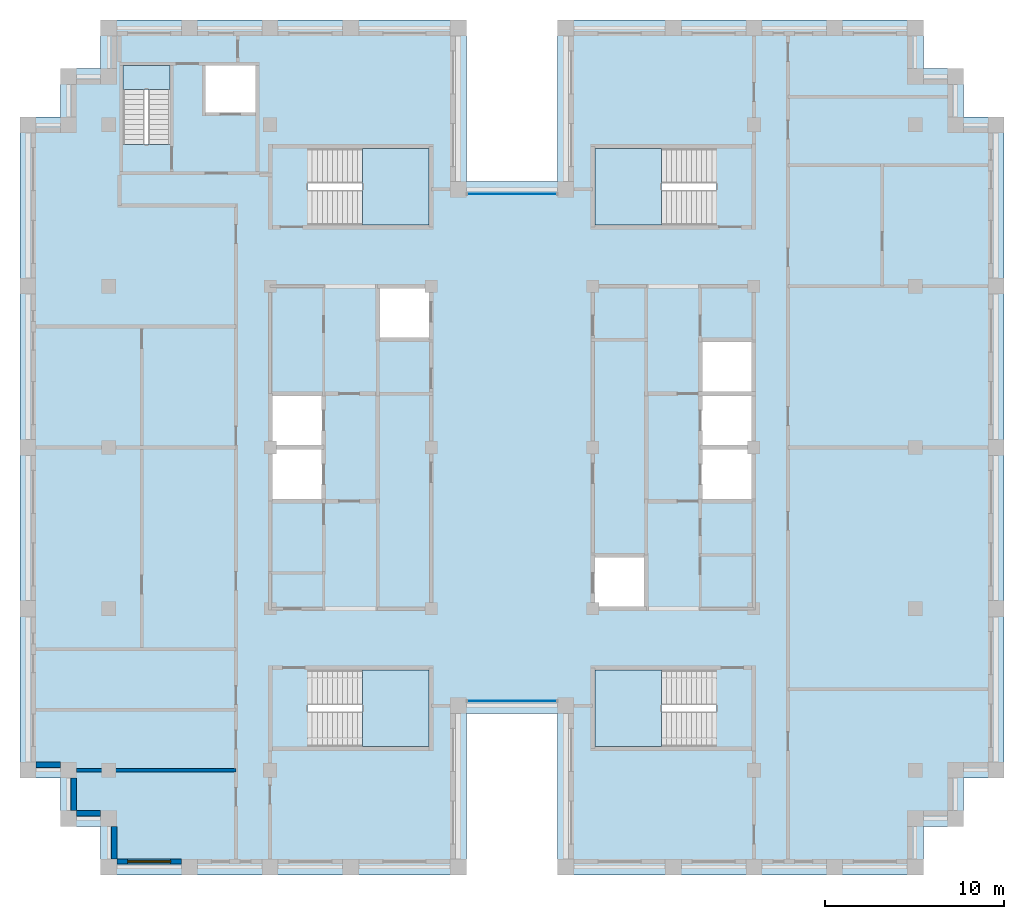
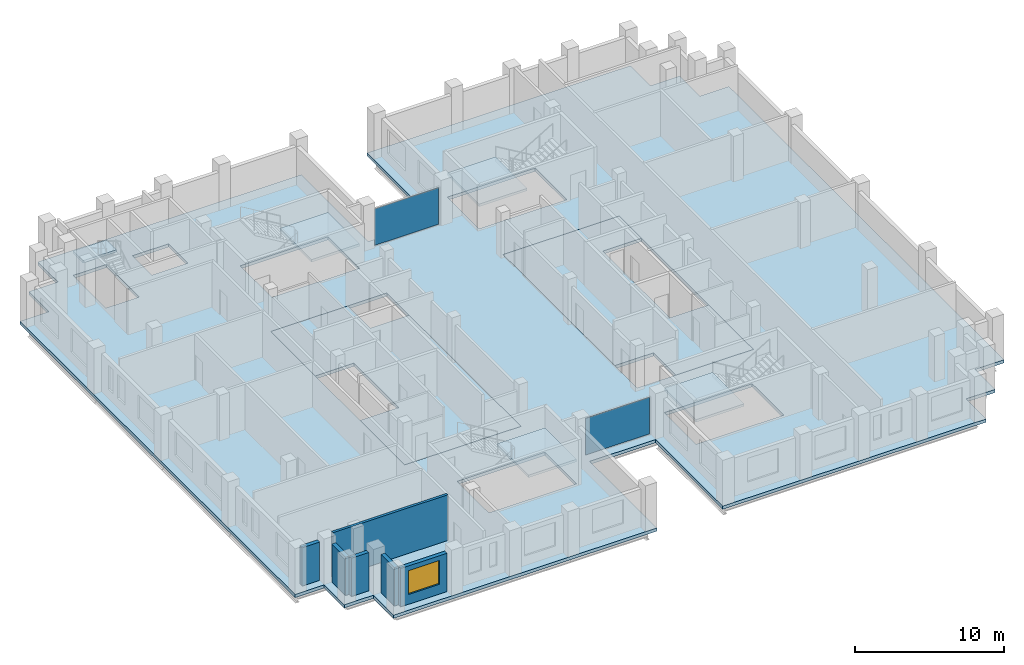
# One storey, part 5 of 13: 8 slabs, 6 walls, 2 plates, 1 window, 1 opening, 7 elements without a shape of their own.
"""IFC4 building model written with IfcOpenShell, lengths in metres."""

from ifc_helpers import new_model, si_unit, direction, frame, frame_2d, origin, origin_2d, place, context, subcontext, project, spatial, polyline, rectangle, outline, extrude, material, layer, layer_set, type_object, element, fill, aggregate, save


model = new_model("IFC4")

# Units and contexts
model_context = context("Model", 3, precision=1e-05, world=origin(), true_north=direction((0.0, 1.0)))
body_context = subcontext(model_context, "Body", "Model", "MODEL_VIEW")
ifc_project = project(units=[si_unit("LENGTHUNIT", "METRE"), si_unit("AREAUNIT", "SQUARE_METRE"), si_unit("VOLUMEUNIT", "CUBIC_METRE"), si_unit("PLANEANGLEUNIT", "RADIAN"), si_unit("MASSUNIT", "GRAM", prefix="KILO")], contexts=[model_context])

# Site, building, storey
site_placement = place(None, origin())
site = spatial("IfcSite", under=ifc_project, at=site_placement, CompositionType="ELEMENT")
building_placement = place(site_placement, origin())
building = spatial("IfcBuilding", under=site, at=building_placement, Name="Corbelhall Arena Tower", CompositionType="ELEMENT")
storey_placement = place(building_placement, frame((0.0, 0.0, 304.0)))
storey = spatial("IfcBuildingStorey", under=building, at=storey_placement, Name="L66", CompositionType="ELEMENT", Elevation=304.0)

# Curtain wall, plate
ifc_material_1 = material(Name="Aluminium black anodised", Category="aluminium")
ifc_layer_1 = layer(ifc_material_1, 0.199951171875)
ifc_layer_set_1 = layer_set([ifc_layer_1], Name="EV-CW1 Slot back wall")
curtain_wall_type = type_object("IfcCurtainWallType", Name="EV-CW1 Slot back wall", PredefinedType="NOTDEFINED", material=ifc_layer_set_1)
curtain_wall_1_placement = place(storey_placement, origin())
curtain_wall_1 = element("IfcCurtainWall", 1, at=curtain_wall_1_placement, inside=storey, type_object=curtain_wall_type, Name="Curtain wall CW1", PredefinedType="NOTDEFINED")
ifc_material_2 = material(Name="Glass dark tinted laminated", Category="glass")
ifc_layer_2 = layer(ifc_material_2, 0.028076171875)
ifc_layer_set_2 = layer_set([ifc_layer_2], Name="EV-CW1-PANEL")
plate_type = type_object("IfcPlateType", Name="EV-CW1-PANEL", PredefinedType="CURTAIN_PANEL", material=ifc_layer_set_2)
plate_1_placement = place(storey_placement, frame((0.0, -14.14990234375, 0.0751953125), z_axis=(0.0, 0.0, 1.0), x_axis=(1.0, 0.0, 0.0)))
plate_1 = element("IfcPlate", 2, at=plate_1_placement, type_object=plate_type, Name="CW1 panel 1.1", PredefinedType="CURTAIN_PANEL", context=body_context, shape_type="SweptSolid", body=[
    extrude(rectangle(XDim=4.949951171875, YDim=0.028076171875, at=origin_2d()), origin(), (0.0, 0.0, 1.0), 2.989990234375),
])
aggregate(curtain_wall_1, [plate_1])

curtain_wall_2_placement = place(storey_placement, origin())
curtain_wall_2 = element("IfcCurtainWall", 3, at=curtain_wall_2_placement, inside=storey, type_object=curtain_wall_type, Name="Curtain wall CW1", PredefinedType="NOTDEFINED")
plate_2_placement = place(storey_placement, frame((0.0, 14.14990234375, 0.0751953125), z_axis=(0.0, 0.0, 1.0), x_axis=(-1.0, 0.0, 0.0)))
plate_2 = element("IfcPlate", 4, at=plate_2_placement, type_object=plate_type, Name="CW1 panel 1.1", PredefinedType="CURTAIN_PANEL", context=body_context, shape_type="SweptSolid", body=[
    extrude(rectangle(XDim=4.949951171875, YDim=0.028076171875, at=origin_2d()), origin(), (0.0, 0.0, 1.0), 2.989990234375),
])
aggregate(curtain_wall_2, [plate_2])

# Slabs
ifc_material_3 = material(Name="Concrete C40/50", Category="concrete")
ifc_layer_3 = layer(ifc_material_3, 0.300048828125)
ifc_layer_set_3 = layer_set([ifc_layer_3], Name="IN-SL-CORE")
slab_type_1 = type_object("IfcSlabType", Name="IN-SL-CORE", PredefinedType="FLOOR", material=ifc_layer_set_3)
slab_1_placement = place(storey_placement, frame((0.0, 0.0, -0.260009765625)))
element("IfcSlab", 5, at=slab_1_placement, inside=storey, type_object=slab_type_1, Name="Core floor W", PredefinedType="FLOOR", context=body_context, shape_type="SweptSolid", body=[
    extrude(outline(polyline([(-13.5, -3.0), (-13.5, -9.0), (-4.5, -9.0), (-4.5, 6.0), (-7.5, 6.0), (-7.5, 9.0), (-13.5, 9.0), (-13.5, 3.0), (-10.5, 3.0), (-10.5, 0.0), (-10.5, -3.0), (-13.5, -3.0)])), origin(), (0.0, 0.0, 1.0), 0.260009765625),
])
slab_2_placement = place(storey_placement, frame((0.0, 0.0, -0.260009765625)))
element("IfcSlab", 6, at=slab_2_placement, inside=storey, type_object=slab_type_1, Name="Core floor E", PredefinedType="FLOOR", context=body_context, shape_type="SweptSolid", body=[
    extrude(outline(polyline([(10.5, 0.0), (10.5, 3.0), (10.5, 6.0), (13.5, 6.0), (13.5, 9.0), (4.5, 9.0), (4.5, -6.0), (7.5, -6.0), (7.5, -9.0), (13.5, -9.0), (13.5, -3.0), (10.5, -3.0), (10.5, 0.0)])), origin(), (0.0, 0.0, 1.0), 0.260009765625),
])

# Stair, slab
stair_type = type_object("IfcStairType", Name="IN-ST-TOWER", PredefinedType="HALF_TURN_STAIR", material=ifc_material_3)
stair_1_placement = place(storey_placement, origin())
stair_1 = element("IfcStair", 7, at=stair_1_placement, inside=storey, type_object=stair_type, Name="L66 Exit stair ST1", PredefinedType="HALF_TURN_STAIR")
ifc_layer_4 = layer(ifc_material_3, 0.199951171875)
ifc_layer_set_4 = layer_set([ifc_layer_4], Name="IN-SL-LANDING")
slab_type_2 = type_object("IfcSlabType", Name="IN-SL-LANDING", PredefinedType="LANDING", material=ifc_layer_set_4)
slab_3_placement = place(storey_placement, frame((0.0, 0.0, 1.800048828125)))
slab_3 = element("IfcSlab", 8, at=slab_3_placement, type_object=slab_type_2, Name="ST1 landing 1", PredefinedType="LANDING", context=body_context, shape_type="SweptSolid", body=[
    extrude(outline(polyline([(-8.344970703125, 12.425048828125), (-4.625, 12.425048828125), (-4.625, 16.675048828125), (-8.344970703125, 16.675048828125), (-8.344970703125, 12.425048828125)])), origin(), (0.0, 0.0, 1.0), 0.199951171875),
])
aggregate(stair_1, [slab_3])

stair_2_placement = place(storey_placement, origin())
stair_2 = element("IfcStair", 9, at=stair_2_placement, inside=storey, type_object=stair_type, Name="L66 Exit stair ST2", PredefinedType="HALF_TURN_STAIR")
slab_4_placement = place(storey_placement, frame((0.0, 0.0, 1.800048828125)))
slab_4 = element("IfcSlab", 10, at=slab_4_placement, type_object=slab_type_2, Name="ST2 landing 1", PredefinedType="LANDING", context=body_context, shape_type="SweptSolid", body=[
    extrude(outline(polyline([(-8.344970703125, -16.675048828125), (-4.625, -16.675048828125), (-4.625, -12.425048828125), (-8.344970703125, -12.425048828125), (-8.344970703125, -16.675048828125)])), origin(), (0.0, 0.0, 1.0), 0.199951171875),
])
aggregate(stair_2, [slab_4])

stair_3_placement = place(storey_placement, origin())
stair_3 = element("IfcStair", 11, at=stair_3_placement, inside=storey, type_object=stair_type, Name="L66 Exit stair ST3", PredefinedType="HALF_TURN_STAIR")
slab_5_placement = place(storey_placement, frame((0.0, 0.0, 1.800048828125)))
slab_5 = element("IfcSlab", 12, at=slab_5_placement, type_object=slab_type_2, Name="ST3 landing 1", PredefinedType="LANDING", context=body_context, shape_type="SweptSolid", body=[
    extrude(outline(polyline([(8.344970703125, 16.675048828125), (4.625, 16.675048828125), (4.625, 12.425048828125), (8.344970703125, 12.425048828125), (8.344970703125, 16.675048828125)])), origin(), (0.0, 0.0, 1.0), 0.199951171875),
])
aggregate(stair_3, [slab_5])

stair_4_placement = place(storey_placement, origin())
stair_4 = element("IfcStair", 13, at=stair_4_placement, inside=storey, type_object=stair_type, Name="L66 Exit stair ST4", PredefinedType="HALF_TURN_STAIR")
slab_6_placement = place(storey_placement, frame((0.0, 0.0, 1.800048828125)))
slab_6 = element("IfcSlab", 14, at=slab_6_placement, type_object=slab_type_2, Name="ST4 landing 1", PredefinedType="LANDING", context=body_context, shape_type="SweptSolid", body=[
    extrude(outline(polyline([(8.344970703125, -12.425048828125), (4.625, -12.425048828125), (4.625, -16.675048828125), (8.344970703125, -16.675048828125), (8.344970703125, -12.425048828125)])), origin(), (0.0, 0.0, 1.0), 0.199951171875),
])
aggregate(stair_4, [slab_6])

stair_5_placement = place(storey_placement, origin())
stair_5 = element("IfcStair", 15, at=stair_5_placement, inside=storey, type_object=stair_type, Name="L66 Exit stair ST5", PredefinedType="HALF_TURN_STAIR")
slab_7_placement = place(storey_placement, frame((0.0, 0.0, 1.800048828125)))
slab_7 = element("IfcSlab", 16, at=slab_7_placement, type_object=slab_type_2, Name="ST5 landing 1", PredefinedType="LANDING", context=body_context, shape_type="SweptSolid", body=[
    extrude(outline(polyline([(-19.094970703125, 19.97998046875), (-19.094970703125, 21.300048828125), (-21.695068359375, 21.300048828125), (-21.695068359375, 19.97998046875), (-19.094970703125, 19.97998046875)])), origin(), (0.0, 0.0, 1.0), 0.199951171875),
])
aggregate(stair_5, [slab_7])

# Slab
ifc_layer_5 = layer(ifc_material_3, 0.260009765625)
ifc_layer_set_5 = layer_set([ifc_layer_5], Name="ST-SLAB-FLOOR-260")
slab_type_3 = type_object("IfcSlabType", Name="ST-SLAB-FLOOR-260", PredefinedType="FLOOR", material=ifc_layer_set_5)
slab_8_placement = place(storey_placement, frame((0.0, 0.0, -0.260009765625)))
element("IfcSlab", 17, at=slab_8_placement, inside=storey, type_object=slab_type_3, Name="Floor slab L66 1", PredefinedType="FLOOR", context=body_context, shape_type="SweptSolid", body=[
    extrude(outline(polyline([(22.949951171875, 23.85009765625), (2.550048828125, 23.85009765625), (2.550048828125, 14.85009765625), (-2.550048828125, 14.85009765625), (-2.550048828125, 23.85009765625), (-22.949951171875, 23.85009765625), (-22.949951171875, 21.14990234375), (-25.199951171875, 21.14990234375), (-25.199951171875, 18.449951171875), (-27.449951171875, 18.449951171875), (-27.449951171875, -18.449951171875), (-25.199951171875, -18.449951171875), (-25.199951171875, -21.14990234375), (-22.949951171875, -21.14990234375), (-22.949951171875, -23.85009765625), (-2.550048828125, -23.85009765625), (-2.550048828125, -14.85009765625), (2.550048828125, -14.85009765625), (2.550048828125, -23.85009765625), (22.949951171875, -23.85009765625), (22.949951171875, -21.14990234375), (25.199951171875, -21.14990234375), (25.199951171875, -18.449951171875), (27.449951171875, -18.449951171875), (27.449951171875, 18.449951171875), (25.199951171875, 18.449951171875), (25.199951171875, 21.14990234375), (22.949951171875, 21.14990234375), (22.949951171875, 23.85009765625)]), holes=[polyline([(-13.5, 9.0), (-13.5, -9.0), (-4.5, -9.0), (-4.5, 9.0), (-13.5, 9.0)]), polyline([(4.5, 9.0), (4.5, -9.0), (13.5, -9.0), (13.5, 9.0), (4.5, 9.0)]), polyline([(-4.625, 16.675048828125), (-11.422119140625, 16.675048828125), (-11.422119140625, 12.425048828125), (-4.625, 12.425048828125), (-4.625, 16.675048828125)]), polyline([(-4.625, -16.675048828125), (-4.625, -12.425048828125), (-11.422119140625, -12.425048828125), (-11.422119140625, -16.675048828125), (-4.625, -16.675048828125)]), polyline([(11.422119140625, 16.675048828125), (4.625, 16.675048828125), (4.625, 12.425048828125), (11.422119140625, 12.425048828125), (11.422119140625, 16.675048828125)]), polyline([(11.422119140625, -16.675048828125), (11.422119140625, -12.425048828125), (4.625, -12.425048828125), (4.625, -16.675048828125), (11.422119140625, -16.675048828125)]), polyline([(-21.695068359375, 21.300048828125), (-21.695068359375, 16.903076171875), (-19.094970703125, 16.903076171875), (-19.094970703125, 21.300048828125), (-21.695068359375, 21.300048828125)]), polyline([(-14.300048828125, 21.300048828125), (-17.10009765625, 21.300048828125), (-17.10009765625, 18.699951171875), (-14.300048828125, 18.699951171875), (-14.300048828125, 21.300048828125)])]), origin(), (0.0, 0.0, 1.0), 0.260009765625),
])

# Walls
ifc_material_4 = material(Name="Precast concrete C40/50 with granite facing", Category="masonry")
ifc_layer_6 = layer(ifc_material_4, 0.300048828125)
ifc_layer_set_6 = layer_set([ifc_layer_6], Name="EV-IW1 Infill panel 300")
wall_type_1 = type_object("IfcWallType", Name="EV-IW1 Infill panel 300", PredefinedType="SOLIDWALL", material=ifc_layer_set_6)
wall_1_placement = place(storey_placement, frame((-26.550048828125, -17.699951171875, 0.0), z_axis=(0.0, 0.0, 1.0), x_axis=(1.0, 0.0, 0.0)))
element("IfcWall", 18, at=wall_1_placement, inside=storey, type_object=wall_type_1, Name="Infill panel IW1", PredefinedType="SOLIDWALL", context=body_context, shape_type="SweptSolid", body=[
    extrude(rectangle(XDim=1.35009765625, YDim=0.300048828125, at=frame_2d((0.675048828125, 0.0))), origin(), (0.0, 0.0, 1.0), 3.139892578125),
])
wall_2_placement = place(storey_placement, frame((-24.449951171875, -18.449951171875, 0.0), z_axis=(0.0, 0.0, 1.0), x_axis=(0.0, -1.0, 0.0)))
element("IfcWall", 19, at=wall_2_placement, inside=storey, type_object=wall_type_1, Name="Infill panel IW1", PredefinedType="SOLIDWALL", context=body_context, shape_type="SweptSolid", body=[
    extrude(rectangle(XDim=1.800048828125, YDim=0.300048828125, at=frame_2d((0.89990234375, 0.0))), origin(), (0.0, 0.0, 1.0), 3.139892578125),
])
wall_3_placement = place(storey_placement, frame((-24.300048828125, -20.39990234375, 0.0), z_axis=(0.0, 0.0, 1.0), x_axis=(1.0, 0.0, 0.0)))
element("IfcWall", 20, at=wall_3_placement, inside=storey, type_object=wall_type_1, Name="Infill panel IW1", PredefinedType="SOLIDWALL", context=body_context, shape_type="SweptSolid", body=[
    extrude(rectangle(XDim=1.35009765625, YDim=0.300048828125, at=frame_2d((0.675048828125, 0.0))), origin(), (0.0, 0.0, 1.0), 3.139892578125),
])
wall_4_placement = place(storey_placement, frame((-22.199951171875, -21.14990234375, 0.0), z_axis=(0.0, 0.0, 1.0), x_axis=(0.0, -1.0, 0.0)))
element("IfcWall", 21, at=wall_4_placement, inside=storey, type_object=wall_type_1, Name="Infill panel IW1", PredefinedType="SOLIDWALL", context=body_context, shape_type="SweptSolid", body=[
    extrude(rectangle(XDim=1.800048828125, YDim=0.300048828125, at=frame_2d((0.89990234375, 0.0))), origin(), (0.0, 0.0, 1.0), 3.139892578125),
])

# Wall, opening, window
wall_5_placement = place(storey_placement, frame((-22.050048828125, -23.10009765625, 0.0), z_axis=(0.0, 0.0, 1.0), x_axis=(1.0, 0.0, 0.0)))
wall_5 = element("IfcWall", 22, at=wall_5_placement, inside=storey, type_object=wall_type_1, Name="Infill panel IW1", PredefinedType="SOLIDWALL", context=body_context, shape_type="SweptSolid", body=[
    extrude(rectangle(XDim=3.60009765625, YDim=0.300048828125, at=frame_2d((1.800048828125, 0.0))), origin(), (0.0, 0.0, 1.0), 3.139892578125),
])
opening_placement = place(wall_5_placement, frame((0.60009765625, 0.0, 0.800048828125)))
opening = element("IfcOpeningElement", 23, at=opening_placement, cuts=wall_5, Name="Opening WN1", PredefinedType="OPENING", context=body_context, shape_type="SweptSolid", body=[
    extrude(rectangle(XDim=2.39990234375, YDim=1.949951171875, at=frame_2d((1.199951171875, 0.97509765625))), frame((0.0, 0.14990234375, 0.0), z_axis=(0.0, -1.0, 0.0), x_axis=(1.0, 0.0, 0.0)), (0.0, 0.0, 1.0), 0.300048828125),
])
window_type = type_object("IfcWindowType", Name="EV-WN1 Office window", PartitioningType="SINGLE_PANEL", PredefinedType="WINDOW", material=ifc_material_1)
window_placement = place(opening_placement, origin())
window = element("IfcWindow", 24, at=window_placement, inside=storey, type_object=window_type, Name="Window WN1", OverallHeight=1.949951171875, OverallWidth=2.39990234375, PartitioningType="SINGLE_PANEL", PredefinedType="WINDOW", context=body_context, shape_type="SweptSolid", body=[
    extrude(rectangle(XDim=2.39990234375, YDim=1.949951171875, at=frame_2d((1.199951171875, 0.97509765625))), frame((0.0, 0.030029296875, 0.0), z_axis=(0.0, -1.0, 0.0), x_axis=(1.0, 0.0, 0.0)), (0.0, 0.0, 1.0), 0.06005859375),
])
fill(opening, window)

# Wall
ifc_material_5 = material(Name="Gypsum board on steel stud, acoustic", Category="steel")
ifc_layer_7 = layer(ifc_material_5, 0.199951171875)
ifc_layer_set_7 = layer_set([ifc_layer_7], Name="IN-W-DM200")
wall_type_2 = type_object("IfcWallType", Name="IN-W-DM200", PredefinedType="PARTITIONING", material=ifc_layer_set_7)
wall_6_placement = place(storey_placement, frame((-24.300048828125, -18.0, 0.0), z_axis=(0.0, 0.0, 1.0), x_axis=(1.0, 0.0, 0.0)))
element("IfcWall", 25, at=wall_6_placement, inside=storey, type_object=wall_type_2, Name="Partition 004", PredefinedType="PARTITIONING", context=body_context, shape_type="SweptSolid", body=[
    extrude(rectangle(XDim=8.900146484375, YDim=0.199951171875, at=frame_2d((4.4501953125, 0.0))), origin(), (0.0, 0.0, 1.0), 3.739990234375),
])

save(model, "model.ifc")
